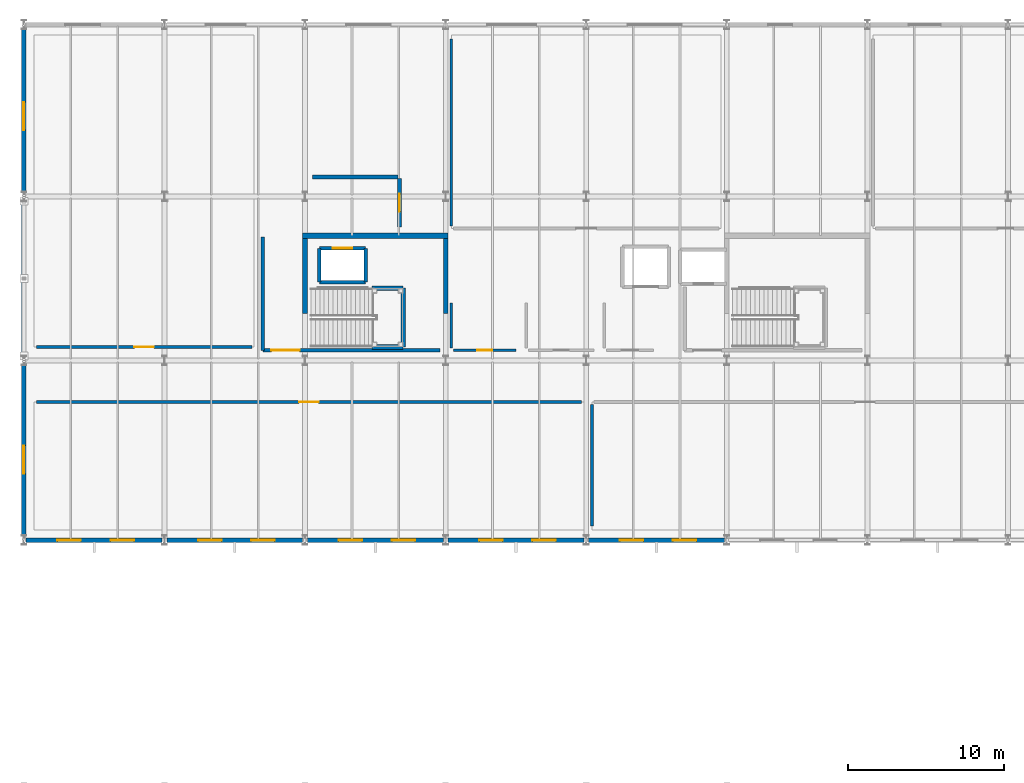
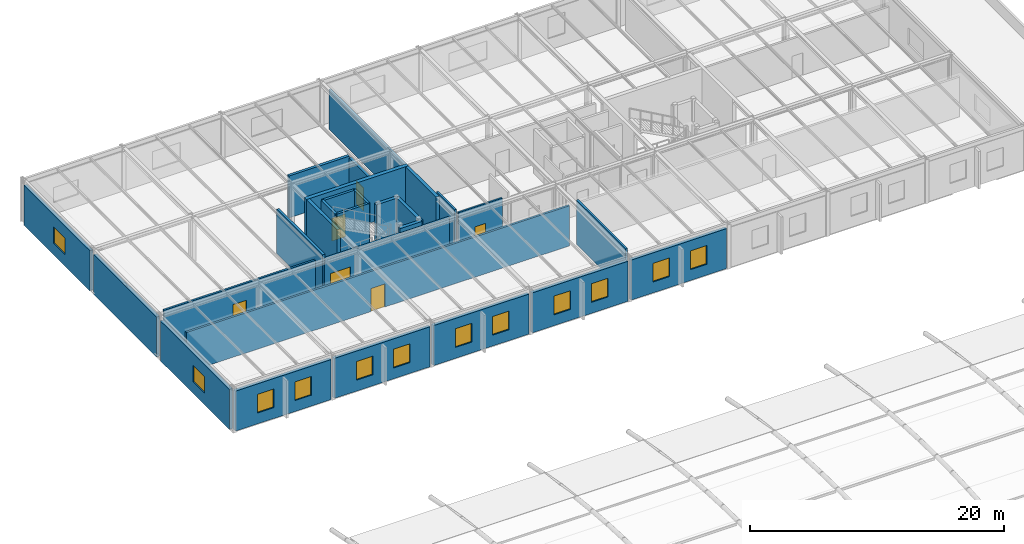
# One storey, part 59 of 105: 28 walls, 12 windows, 6 doors, 18 openings.
"""IFC4 building model written with IfcOpenShell, lengths in metres."""

import ifcopenshell
import ifcopenshell.guid

model = None  # the IFC model being written
_history = None  # IfcOwnerHistory: only IFC2X3 demands one
_inside = {}  # id of a spatial element -> (the spatial element, [elements in it])
_under = {}  # id of a project, library or spatial element -> (it, [spatial elements below it])
_declared = {}  # id of a project -> (the project, [libraries it declares])
_typed = {}  # id of a type object -> (the type object, [elements of that type])
_made_of = {}  # id of a material, layer set ... -> (it, [elements and type objects made of it])


def new_model(schema):
    """Start an empty IFC model of exactly this schema.

    Asked for "IFC4X3", IfcOpenShell would pick the latest addendum, in which some entities
    have other attributes; the version numbers below select the first issue.
    IFC2X3 requires an IfcOwnerHistory on every rooted entity: one is made here for all.
    """
    global model, _history
    if schema == "IFC4X3":
        model = ifcopenshell.file(schema_version=(4, 3, 0, 0))
    else:
        model = ifcopenshell.file(schema=schema)
    _inside.clear()
    _under.clear()
    _declared.clear()
    _typed.clear()
    _made_of.clear()
    _history = None
    if model.schema == "IFC2X3":
        org = make("IfcOrganization", Name="unknown")
        user = make(
            "IfcPersonAndOrganization",
            ThePerson=make("IfcPerson", FamilyName="unknown"),
            TheOrganization=org,
        )
        app = make(
            "IfcApplication",
            ApplicationDeveloper=org,
            Version="unknown",
            ApplicationFullName="unknown",
            ApplicationIdentifier="unknown",
        )
        _history = make(
            "IfcOwnerHistory",
            OwningUser=user,
            OwningApplication=app,
            ChangeAction="ADDED",
            CreationDate=0,
        )
    return model


def make(cls, **values):
    """One entity of the class cls with the attributes given. An attribute that is None is left unset."""
    return model.create_entity(
        cls, **{name: value for name, value in values.items() if value is not None}
    )


def rooted(cls, **values):
    """An entity with a GlobalId (a new one), such as an element, a storey or a relation."""
    return make(cls, GlobalId=ifcopenshell.guid.new(), OwnerHistory=_history, **values)


def si_unit(unit_type, name, prefix=None):
    """IfcSIUnit, for example si_unit("LENGTHUNIT", "METRE", prefix="MILLI")."""
    return make("IfcSIUnit", UnitType=unit_type, Prefix=prefix, Name=name)


def assignment(units):
    """IfcUnitAssignment: the units of a project."""
    return None if units is None else make("IfcUnitAssignment", Units=units)


def point(xyz):
    """IfcCartesianPoint."""
    return None if xyz is None else make("IfcCartesianPoint", Coordinates=xyz)


def direction(xyz):
    """IfcDirection."""
    return None if xyz is None else make("IfcDirection", DirectionRatios=xyz)


def frame(location, z_axis=None, x_axis=None):
    """IfcAxis2Placement3D, a coordinate frame: its origin and axes. An axis left out is left unset."""
    return make(
        "IfcAxis2Placement3D",
        Location=point(location),
        Axis=direction(z_axis),
        RefDirection=direction(x_axis),
    )


def frame_2d(location, x_axis=None):
    """IfcAxis2Placement2D, a coordinate frame in the plane: its origin and x axis."""
    return make(
        "IfcAxis2Placement2D", Location=point(location), RefDirection=direction(x_axis)
    )


def origin():
    """The frame at (0, 0, 0) with its axes left unset."""
    return frame((0.0, 0.0, 0.0))


def place(relative_to, where):
    """IfcLocalPlacement: puts the frame where relative to a parent placement (None: the world)."""
    return make(
        "IfcLocalPlacement", PlacementRelTo=relative_to, RelativePlacement=where
    )


def context(
    kind, dimensions, precision=None, world=None, true_north=None, identifier=None
):
    """IfcGeometricRepresentationContext, for example the 3D "Model" context."""
    return make(
        "IfcGeometricRepresentationContext",
        ContextIdentifier=identifier,
        ContextType=kind,
        CoordinateSpaceDimension=dimensions,
        Precision=precision,
        WorldCoordinateSystem=world,
        TrueNorth=true_north,
    )


def subcontext(parent, identifier, kind, view, scale=None):
    """IfcGeometricRepresentationSubContext, for example "Body" below "Model"."""
    return make(
        "IfcGeometricRepresentationSubContext",
        ContextIdentifier=identifier,
        ContextType=kind,
        ParentContext=parent,
        TargetScale=scale,
        TargetView=view,
    )


def project(units=None, contexts=None):
    """IfcProject with its units and contexts."""
    return rooted(
        "IfcProject",
        Name="project",
        RepresentationContexts=contexts,
        UnitsInContext=assignment(units),
    )


def spatial(cls, under=None, at=None, **own):
    """A site, building, storey or space (cls), placed at a placement, below another one or the project."""
    s = rooted(cls, ObjectPlacement=at, **own)
    if under is not None:
        _under.setdefault(under.id(), (under, []))[1].append(s)
    return s


def profile(cls, at=None, kind="AREA", **sizes):
    """A parametric profile (cls). Its sizes go by their IFC names, for example OverallWidth=200.0."""
    return make(cls, ProfileType=kind, Position=at, **sizes)


def rectangle(**sizes):
    """IfcRectangleProfileDef."""
    return profile("IfcRectangleProfileDef", **sizes)


def extrude(swept, where, along, depth):
    """IfcExtrudedAreaSolid: the profile swept, set in the frame where, extruded along a direction by depth."""
    return make(
        "IfcExtrudedAreaSolid",
        SweptArea=swept,
        Position=where,
        ExtrudedDirection=direction(along),
        Depth=depth,
    )


def shape(context_of_items, identifier, shape_type, items):
    """IfcShapeRepresentation: the items that make up one representation, for example the "Body"."""
    return make(
        "IfcShapeRepresentation",
        ContextOfItems=context_of_items,
        RepresentationIdentifier=identifier,
        RepresentationType=shape_type,
        Items=items,
    )


def material(Name=None, Category=None):
    """IfcMaterial."""
    return make("IfcMaterial", Name=Name, Category=Category)


def layer(
    of_material, thickness, ventilated=None, Name=None, Category=None, Priority=None
):
    """IfcMaterialLayer: one layer of a wall or slab, of a material (None: an air gap)."""
    return make(
        "IfcMaterialLayer",
        Material=of_material,
        LayerThickness=thickness,
        IsVentilated=ventilated,
        Name=Name,
        Category=Category,
        Priority=Priority,
    )


def layer_set(layers, Name=None):
    """IfcMaterialLayerSet."""
    return make("IfcMaterialLayerSet", MaterialLayers=layers, LayerSetName=Name)


def made_of(thing, what):
    """Note that an element or type object is made of a material, layer set ...; save() writes the relation."""
    if what is not None:
        _made_of.setdefault(what.id(), (what, []))[1].append(thing)
    return thing


def type_object(cls, material=None, **own):
    """A type object (cls), such as IfcWallType, which elements share."""
    return made_of(rooted(cls, **own), material)


def element(
    cls,
    number,
    at=None,
    inside=None,
    cuts=None,
    type_object=None,
    material=None,
    context=None,
    identifier="Body",
    shape_type=None,
    held_by="IfcProductDefinitionShape",
    body=None,
    shapes=None,
    **own,
):
    """One element of the class cls, such as IfcWall. Its Tag is "e" and its number.

    at: its placement. inside: the storey or other place that contains it. cuts: it is an
    opening in that element (IfcRelVoidsElement). A single representation is given by context,
    identifier, shape_type and body (its items); several are given by shapes. held_by: the class
    of the entity that holds the representations. save() writes the other relations.
    """
    e = rooted(cls, Tag="e%d" % number, ObjectPlacement=at, **own)
    if body is not None:
        shapes = [shape(context, identifier, shape_type, body)]
    if shapes is not None:
        e.Representation = make(held_by, Representations=shapes)
    if inside is not None:
        _inside.setdefault(inside.id(), (inside, []))[1].append(e)
    if cuts is not None:
        rooted(
            "IfcRelVoidsElement", RelatingBuildingElement=cuts, RelatedOpeningElement=e
        )
    if type_object is not None:
        _typed.setdefault(type_object.id(), (type_object, []))[1].append(e)
    return made_of(e, material)


def fill(opening, filler):
    """IfcRelFillsElement: the door or window that sits in an opening."""
    return rooted(
        "IfcRelFillsElement",
        RelatingOpeningElement=opening,
        RelatedBuildingElement=filler,
    )


def aggregate(whole, parts):
    """IfcRelAggregates: a whole, such as a stair, and the parts it consists of."""
    return rooted("IfcRelAggregates", RelatingObject=whole, RelatedObjects=parts)


def save(model, path):
    """Write the relations noted so far, then the file.

    IfcRelAggregates (storeys below a building ...), IfcRelContainedInSpatialStructure (elements
    in a storey), IfcRelDefinesByType, IfcRelAssociatesMaterial and IfcRelDeclares: one each for
    every whole, place, type object, material and project.
    """
    for whole, parts in _under.values():
        aggregate(whole, parts)
    for where, things in _inside.values():
        rooted(
            "IfcRelContainedInSpatialStructure",
            RelatedElements=things,
            RelatingStructure=where,
        )
    for kind, things in _typed.values():
        rooted("IfcRelDefinesByType", RelatedObjects=things, RelatingType=kind)
    for what, things in _made_of.values():
        rooted("IfcRelAssociatesMaterial", RelatedObjects=things, RelatingMaterial=what)
    for by, libraries in _declared.values():
        rooted("IfcRelDeclares", RelatingContext=by, RelatedDefinitions=libraries)
    model.write(path)


model = new_model("IFC4")

# Units and contexts
model_context = context("Model", 3, precision=1e-05, world=origin(), true_north=direction((0.0, 1.0)))
body_context = subcontext(model_context, "Body", "Model", "MODEL_VIEW")
ifc_project = project(units=[si_unit("LENGTHUNIT", "METRE"), si_unit("AREAUNIT", "SQUARE_METRE"), si_unit("VOLUMEUNIT", "CUBIC_METRE"), si_unit("PLANEANGLEUNIT", "RADIAN"), si_unit("MASSUNIT", "GRAM", prefix="KILO")], contexts=[model_context])

# Site, building, storey
site_placement = place(None, origin())
site = spatial("IfcSite", under=ifc_project, at=site_placement, CompositionType="ELEMENT")
building_placement = place(site_placement, origin())
building = spatial("IfcBuilding", under=site, at=building_placement, Name="Marlcrest Central Station", CompositionType="ELEMENT")
storey_placement = place(building_placement, frame((0.0, 0.0, 15.0)))
storey = spatial("IfcBuildingStorey", under=building, at=storey_placement, Name="L03", CompositionType="ELEMENT", Elevation=15.0)

# Wall, openings, windows
ifc_material_1 = material(Name="Concrete C40/50", Category="concrete")
ifc_layer_1 = layer(ifc_material_1, 0.2900390625, Name="EW-02")
ifc_layer_set_1 = layer_set([ifc_layer_1], Name="Concrete C40/50")
wall_type_1 = type_object("IfcWallType", Name="EW-02", PredefinedType="SOLIDWALL", material=ifc_layer_set_1)
wall_1_placement = place(storey_placement, frame((8.85009765625, 99.0, 0.0), z_axis=(0.0, 0.0, 1.0), x_axis=(-1.0, 0.0, 0.0)))
wall_1 = element("IfcWall", 1, at=wall_1_placement, inside=storey, type_object=wall_type_1, Name="ewall-L03-0148", PredefinedType="SOLIDWALL", context=body_context, shape_type="SweptSolid", body=[
    extrude(rectangle(XDim=8.7001953125, YDim=0.2900390625, at=frame_2d((4.35009765625, 0.0))), origin(), (0.0, 0.0, 1.0), 3.85009765625),
])
opening_1_placement = place(wall_1_placement, frame((1.800048828125, 0.0, 1.050048828125)))
opening_1 = element("IfcOpeningElement", 2, at=opening_1_placement, cuts=wall_1, Name="Opening WN-04", PredefinedType="OPENING", context=body_context, shape_type="SweptSolid", body=[
    extrude(rectangle(XDim=1.5, YDim=1.800048828125, at=frame_2d((0.75, 0.89990234375))), frame((0.0, 0.155029296875, 0.0), z_axis=(0.0, -1.0, 0.0), x_axis=(1.0, 0.0, 0.0)), (0.0, 0.0, 1.0), 0.31005859375),
])
opening_2_placement = place(wall_1_placement, frame((5.199951171875, 0.0, 1.050048828125)))
opening_2 = element("IfcOpeningElement", 3, at=opening_2_placement, cuts=wall_1, Name="Opening WN-04", PredefinedType="OPENING", context=body_context, shape_type="SweptSolid", body=[
    extrude(rectangle(XDim=1.5, YDim=1.800048828125, at=frame_2d((0.75, 0.89990234375))), frame((0.0, 0.155029296875, 0.0), z_axis=(0.0, -1.0, 0.0), x_axis=(1.0, 0.0, 0.0)), (0.0, 0.0, 1.0), 0.31005859375),
])
ifc_material_2 = material(Name="Thermally broken bronze-anodised aluminium and laminated low-E glass", Category="aluminium")
window_type_1 = type_object("IfcWindowType", Name="WN-04", PartitioningType="SINGLE_PANEL", PredefinedType="WINDOW", material=ifc_material_2)
window_1_placement = place(opening_1_placement, origin())
window_1 = element("IfcWindow", 4, at=window_1_placement, inside=storey, type_object=window_type_1, Name="ewin-L03-0104", OverallHeight=1.800048828125, OverallWidth=1.5, PartitioningType="SINGLE_PANEL", PredefinedType="WINDOW", context=body_context, shape_type="SweptSolid", body=[
    extrude(rectangle(XDim=1.5, YDim=1.800048828125, at=frame_2d((0.75, 0.89990234375))), frame((0.0, 0.030029296875, 0.0), z_axis=(0.0, -1.0, 0.0), x_axis=(1.0, 0.0, 0.0)), (0.0, 0.0, 1.0), 0.06005859375),
])
fill(opening_1, window_1)
window_2_placement = place(opening_2_placement, origin())
window_2 = element("IfcWindow", 5, at=window_2_placement, inside=storey, type_object=window_type_1, Name="ewin-L03-0105", OverallHeight=1.800048828125, OverallWidth=1.5, PartitioningType="SINGLE_PANEL", PredefinedType="WINDOW", context=body_context, shape_type="SweptSolid", body=[
    extrude(rectangle(XDim=1.5, YDim=1.800048828125, at=frame_2d((0.75, 0.89990234375))), frame((0.0, 0.030029296875, 0.0), z_axis=(0.0, -1.0, 0.0), x_axis=(1.0, 0.0, 0.0)), (0.0, 0.0, 1.0), 0.06005859375),
])
fill(opening_2, window_2)

wall_2_placement = place(storey_placement, frame((17.85009765625, 99.0, 0.0), z_axis=(0.0, 0.0, 1.0), x_axis=(-1.0, 0.0, 0.0)))
wall_2 = element("IfcWall", 6, at=wall_2_placement, inside=storey, type_object=wall_type_1, Name="ewall-L03-0150", PredefinedType="SOLIDWALL", context=body_context, shape_type="SweptSolid", body=[
    extrude(rectangle(XDim=8.7001953125, YDim=0.2900390625, at=frame_2d((4.35009765625, 0.0))), origin(), (0.0, 0.0, 1.0), 3.85009765625),
])
opening_3_placement = place(wall_2_placement, frame((1.800048828125, 0.0, 1.050048828125)))
opening_3 = element("IfcOpeningElement", 7, at=opening_3_placement, cuts=wall_2, Name="Opening WN-04", PredefinedType="OPENING", context=body_context, shape_type="SweptSolid", body=[
    extrude(rectangle(XDim=1.5, YDim=1.800048828125, at=frame_2d((0.75, 0.89990234375))), frame((0.0, 0.155029296875, 0.0), z_axis=(0.0, -1.0, 0.0), x_axis=(1.0, 0.0, 0.0)), (0.0, 0.0, 1.0), 0.31005859375),
])
opening_4_placement = place(wall_2_placement, frame((5.199951171875, 0.0, 1.050048828125)))
opening_4 = element("IfcOpeningElement", 8, at=opening_4_placement, cuts=wall_2, Name="Opening WN-04", PredefinedType="OPENING", context=body_context, shape_type="SweptSolid", body=[
    extrude(rectangle(XDim=1.5, YDim=1.800048828125, at=frame_2d((0.75, 0.89990234375))), frame((0.0, 0.155029296875, 0.0), z_axis=(0.0, -1.0, 0.0), x_axis=(1.0, 0.0, 0.0)), (0.0, 0.0, 1.0), 0.31005859375),
])
window_3_placement = place(opening_3_placement, origin())
window_3 = element("IfcWindow", 9, at=window_3_placement, inside=storey, type_object=window_type_1, Name="ewin-L03-0107", OverallHeight=1.800048828125, OverallWidth=1.5, PartitioningType="SINGLE_PANEL", PredefinedType="WINDOW", context=body_context, shape_type="SweptSolid", body=[
    extrude(rectangle(XDim=1.5, YDim=1.800048828125, at=frame_2d((0.75, 0.89990234375))), frame((0.0, 0.030029296875, 0.0), z_axis=(0.0, -1.0, 0.0), x_axis=(1.0, 0.0, 0.0)), (0.0, 0.0, 1.0), 0.06005859375),
])
fill(opening_3, window_3)
window_4_placement = place(opening_4_placement, origin())
window_4 = element("IfcWindow", 10, at=window_4_placement, inside=storey, type_object=window_type_1, Name="ewin-L03-0108", OverallHeight=1.800048828125, OverallWidth=1.5, PartitioningType="SINGLE_PANEL", PredefinedType="WINDOW", context=body_context, shape_type="SweptSolid", body=[
    extrude(rectangle(XDim=1.5, YDim=1.800048828125, at=frame_2d((0.75, 0.89990234375))), frame((0.0, 0.030029296875, 0.0), z_axis=(0.0, -1.0, 0.0), x_axis=(1.0, 0.0, 0.0)), (0.0, 0.0, 1.0), 0.06005859375),
])
fill(opening_4, window_4)

wall_3_placement = place(storey_placement, frame((26.85009765625, 99.0, 0.0), z_axis=(0.0, 0.0, 1.0), x_axis=(-1.0, 0.0, 0.0)))
wall_3 = element("IfcWall", 11, at=wall_3_placement, inside=storey, type_object=wall_type_1, Name="ewall-L03-0152", PredefinedType="SOLIDWALL", context=body_context, shape_type="SweptSolid", body=[
    extrude(rectangle(XDim=8.7001953125, YDim=0.2900390625, at=frame_2d((4.35009765625, 0.0))), origin(), (0.0, 0.0, 1.0), 3.85009765625),
])
opening_5_placement = place(wall_3_placement, frame((1.800048828125, 0.0, 1.050048828125)))
opening_5 = element("IfcOpeningElement", 12, at=opening_5_placement, cuts=wall_3, Name="Opening WN-04", PredefinedType="OPENING", context=body_context, shape_type="SweptSolid", body=[
    extrude(rectangle(XDim=1.5, YDim=1.800048828125, at=frame_2d((0.75, 0.89990234375))), frame((0.0, 0.155029296875, 0.0), z_axis=(0.0, -1.0, 0.0), x_axis=(1.0, 0.0, 0.0)), (0.0, 0.0, 1.0), 0.31005859375),
])
opening_6_placement = place(wall_3_placement, frame((5.199951171875, 0.0, 1.050048828125)))
opening_6 = element("IfcOpeningElement", 13, at=opening_6_placement, cuts=wall_3, Name="Opening WN-04", PredefinedType="OPENING", context=body_context, shape_type="SweptSolid", body=[
    extrude(rectangle(XDim=1.5, YDim=1.800048828125, at=frame_2d((0.75, 0.89990234375))), frame((0.0, 0.155029296875, 0.0), z_axis=(0.0, -1.0, 0.0), x_axis=(1.0, 0.0, 0.0)), (0.0, 0.0, 1.0), 0.31005859375),
])
window_5_placement = place(opening_5_placement, origin())
window_5 = element("IfcWindow", 14, at=window_5_placement, inside=storey, type_object=window_type_1, Name="ewin-L03-0110", OverallHeight=1.800048828125, OverallWidth=1.5, PartitioningType="SINGLE_PANEL", PredefinedType="WINDOW", context=body_context, shape_type="SweptSolid", body=[
    extrude(rectangle(XDim=1.5, YDim=1.800048828125, at=frame_2d((0.75, 0.89990234375))), frame((0.0, 0.030029296875, 0.0), z_axis=(0.0, -1.0, 0.0), x_axis=(1.0, 0.0, 0.0)), (0.0, 0.0, 1.0), 0.06005859375),
])
fill(opening_5, window_5)
window_6_placement = place(opening_6_placement, origin())
window_6 = element("IfcWindow", 15, at=window_6_placement, inside=storey, type_object=window_type_1, Name="ewin-L03-0111", OverallHeight=1.800048828125, OverallWidth=1.5, PartitioningType="SINGLE_PANEL", PredefinedType="WINDOW", context=body_context, shape_type="SweptSolid", body=[
    extrude(rectangle(XDim=1.5, YDim=1.800048828125, at=frame_2d((0.75, 0.89990234375))), frame((0.0, 0.030029296875, 0.0), z_axis=(0.0, -1.0, 0.0), x_axis=(1.0, 0.0, 0.0)), (0.0, 0.0, 1.0), 0.06005859375),
])
fill(opening_6, window_6)

wall_4_placement = place(storey_placement, frame((35.85009765625, 99.0, 0.0), z_axis=(0.0, 0.0, 1.0), x_axis=(-1.0, 0.0, 0.0)))
wall_4 = element("IfcWall", 16, at=wall_4_placement, inside=storey, type_object=wall_type_1, Name="ewall-L03-0154", PredefinedType="SOLIDWALL", context=body_context, shape_type="SweptSolid", body=[
    extrude(rectangle(XDim=8.7001953125, YDim=0.2900390625, at=frame_2d((4.35009765625, 0.0))), origin(), (0.0, 0.0, 1.0), 3.85009765625),
])
opening_7_placement = place(wall_4_placement, frame((1.800048828125, 0.0, 1.050048828125)))
opening_7 = element("IfcOpeningElement", 17, at=opening_7_placement, cuts=wall_4, Name="Opening WN-04", PredefinedType="OPENING", context=body_context, shape_type="SweptSolid", body=[
    extrude(rectangle(XDim=1.5, YDim=1.800048828125, at=frame_2d((0.75, 0.89990234375))), frame((0.0, 0.155029296875, 0.0), z_axis=(0.0, -1.0, 0.0), x_axis=(1.0, 0.0, 0.0)), (0.0, 0.0, 1.0), 0.31005859375),
])
opening_8_placement = place(wall_4_placement, frame((5.199951171875, 0.0, 1.050048828125)))
opening_8 = element("IfcOpeningElement", 18, at=opening_8_placement, cuts=wall_4, Name="Opening WN-04", PredefinedType="OPENING", context=body_context, shape_type="SweptSolid", body=[
    extrude(rectangle(XDim=1.5, YDim=1.800048828125, at=frame_2d((0.75, 0.89990234375))), frame((0.0, 0.155029296875, 0.0), z_axis=(0.0, -1.0, 0.0), x_axis=(1.0, 0.0, 0.0)), (0.0, 0.0, 1.0), 0.31005859375),
])
window_7_placement = place(opening_7_placement, origin())
window_7 = element("IfcWindow", 19, at=window_7_placement, inside=storey, type_object=window_type_1, Name="ewin-L03-0113", OverallHeight=1.800048828125, OverallWidth=1.5, PartitioningType="SINGLE_PANEL", PredefinedType="WINDOW", context=body_context, shape_type="SweptSolid", body=[
    extrude(rectangle(XDim=1.5, YDim=1.800048828125, at=frame_2d((0.75, 0.89990234375))), frame((0.0, 0.030029296875, 0.0), z_axis=(0.0, -1.0, 0.0), x_axis=(1.0, 0.0, 0.0)), (0.0, 0.0, 1.0), 0.06005859375),
])
fill(opening_7, window_7)
window_8_placement = place(opening_8_placement, origin())
window_8 = element("IfcWindow", 20, at=window_8_placement, inside=storey, type_object=window_type_1, Name="ewin-L03-0114", OverallHeight=1.800048828125, OverallWidth=1.5, PartitioningType="SINGLE_PANEL", PredefinedType="WINDOW", context=body_context, shape_type="SweptSolid", body=[
    extrude(rectangle(XDim=1.5, YDim=1.800048828125, at=frame_2d((0.75, 0.89990234375))), frame((0.0, 0.030029296875, 0.0), z_axis=(0.0, -1.0, 0.0), x_axis=(1.0, 0.0, 0.0)), (0.0, 0.0, 1.0), 0.06005859375),
])
fill(opening_8, window_8)

wall_5_placement = place(storey_placement, frame((44.85009765625, 99.0, 0.0), z_axis=(0.0, 0.0, 1.0), x_axis=(-1.0, 0.0, 0.0)))
wall_5 = element("IfcWall", 21, at=wall_5_placement, inside=storey, type_object=wall_type_1, Name="ewall-L03-0156", PredefinedType="SOLIDWALL", context=body_context, shape_type="SweptSolid", body=[
    extrude(rectangle(XDim=8.7001953125, YDim=0.2900390625, at=frame_2d((4.35009765625, 0.0))), origin(), (0.0, 0.0, 1.0), 3.85009765625),
])
opening_9_placement = place(wall_5_placement, frame((1.800048828125, 0.0, 1.050048828125)))
opening_9 = element("IfcOpeningElement", 22, at=opening_9_placement, cuts=wall_5, Name="Opening WN-04", PredefinedType="OPENING", context=body_context, shape_type="SweptSolid", body=[
    extrude(rectangle(XDim=1.5, YDim=1.800048828125, at=frame_2d((0.75, 0.89990234375))), frame((0.0, 0.155029296875, 0.0), z_axis=(0.0, -1.0, 0.0), x_axis=(1.0, 0.0, 0.0)), (0.0, 0.0, 1.0), 0.31005859375),
])
opening_10_placement = place(wall_5_placement, frame((5.199951171875, 0.0, 1.050048828125)))
opening_10 = element("IfcOpeningElement", 23, at=opening_10_placement, cuts=wall_5, Name="Opening WN-04", PredefinedType="OPENING", context=body_context, shape_type="SweptSolid", body=[
    extrude(rectangle(XDim=1.5, YDim=1.800048828125, at=frame_2d((0.75, 0.89990234375))), frame((0.0, 0.155029296875, 0.0), z_axis=(0.0, -1.0, 0.0), x_axis=(1.0, 0.0, 0.0)), (0.0, 0.0, 1.0), 0.31005859375),
])
window_9_placement = place(opening_9_placement, origin())
window_9 = element("IfcWindow", 24, at=window_9_placement, inside=storey, type_object=window_type_1, Name="ewin-L03-0116", OverallHeight=1.800048828125, OverallWidth=1.5, PartitioningType="SINGLE_PANEL", PredefinedType="WINDOW", context=body_context, shape_type="SweptSolid", body=[
    extrude(rectangle(XDim=1.5, YDim=1.800048828125, at=frame_2d((0.75, 0.89990234375))), frame((0.0, 0.030029296875, 0.0), z_axis=(0.0, -1.0, 0.0), x_axis=(1.0, 0.0, 0.0)), (0.0, 0.0, 1.0), 0.06005859375),
])
fill(opening_9, window_9)
window_10_placement = place(opening_10_placement, origin())
window_10 = element("IfcWindow", 25, at=window_10_placement, inside=storey, type_object=window_type_1, Name="ewin-L03-0117", OverallHeight=1.800048828125, OverallWidth=1.5, PartitioningType="SINGLE_PANEL", PredefinedType="WINDOW", context=body_context, shape_type="SweptSolid", body=[
    extrude(rectangle(XDim=1.5, YDim=1.800048828125, at=frame_2d((0.75, 0.89990234375))), frame((0.0, 0.030029296875, 0.0), z_axis=(0.0, -1.0, 0.0), x_axis=(1.0, 0.0, 0.0)), (0.0, 0.0, 1.0), 0.06005859375),
])
fill(opening_10, window_10)

# Wall, opening, window
wall_6_placement = place(storey_placement, frame((0.0, 99.300048828125, 0.0), z_axis=(0.0, 0.0, 1.0), x_axis=(0.0, 1.0, 0.0)))
wall_6 = element("IfcWall", 26, at=wall_6_placement, inside=storey, type_object=wall_type_1, Name="ewall-L03-0164", PredefinedType="SOLIDWALL", context=body_context, shape_type="SweptSolid", body=[
    extrude(rectangle(XDim=10.89990234375, YDim=0.2900390625, at=frame_2d((5.449951171875, 0.0))), origin(), (0.0, 0.0, 1.0), 3.85009765625),
])
opening_11_placement = place(wall_6_placement, frame((3.949951171875, 0.0, 1.10009765625)))
opening_11 = element("IfcOpeningElement", 27, at=opening_11_placement, cuts=wall_6, Name="Opening WN-01", PredefinedType="OPENING", context=body_context, shape_type="SweptSolid", body=[
    extrude(rectangle(XDim=1.800048828125, YDim=1.60009765625, at=frame_2d((0.89990234375, 0.800048828125))), frame((0.0, 0.155029296875, 0.0), z_axis=(0.0, -1.0, 0.0), x_axis=(1.0, 0.0, 0.0)), (0.0, 0.0, 1.0), 0.31005859375),
])
window_type_2 = type_object("IfcWindowType", Name="WN-01", PartitioningType="SINGLE_PANEL", PredefinedType="WINDOW", material=ifc_material_2)
window_11_placement = place(opening_11_placement, origin())
window_11 = element("IfcWindow", 28, at=window_11_placement, inside=storey, type_object=window_type_2, Name="ewin-L03-0128", OverallHeight=1.60009765625, OverallWidth=1.800048828125, PartitioningType="SINGLE_PANEL", PredefinedType="WINDOW", context=body_context, shape_type="SweptSolid", body=[
    extrude(rectangle(XDim=1.800048828125, YDim=1.60009765625, at=frame_2d((0.89990234375, 0.800048828125))), frame((0.0, 0.030029296875, 0.0), z_axis=(0.0, -1.0, 0.0), x_axis=(1.0, 0.0, 0.0)), (0.0, 0.0, 1.0), 0.06005859375),
])
fill(opening_11, window_11)

# Wall
wall_7_placement = place(storey_placement, frame((0.0, 110.800048828125, 0.0), z_axis=(0.0, 0.0, 1.0), x_axis=(0.0, 1.0, 0.0)))
element("IfcWall", 29, at=wall_7_placement, inside=storey, type_object=wall_type_1, Name="ewall-L03-0165", PredefinedType="SOLIDWALL", context=body_context, shape_type="SweptSolid", body=[
    extrude(rectangle(XDim=9.89990234375, YDim=0.2900390625, at=frame_2d((4.949951171875, 0.0))), origin(), (0.0, 0.0, 1.0), 3.85009765625),
])

# Wall, opening, window
wall_8_placement = place(storey_placement, frame((0.0, 121.300048828125, 0.0), z_axis=(0.0, 0.0, 1.0), x_axis=(0.0, 1.0, 0.0)))
wall_8 = element("IfcWall", 30, at=wall_8_placement, inside=storey, type_object=wall_type_1, Name="ewall-L03-0166", PredefinedType="SOLIDWALL", context=body_context, shape_type="SweptSolid", body=[
    extrude(rectangle(XDim=10.39990234375, YDim=0.2900390625, at=frame_2d((5.199951171875, 0.0))), origin(), (0.0, 0.0, 1.0), 3.85009765625),
])
opening_12_placement = place(wall_8_placement, frame((3.949951171875, 0.0, 1.10009765625)))
opening_12 = element("IfcOpeningElement", 31, at=opening_12_placement, cuts=wall_8, Name="Opening WN-01", PredefinedType="OPENING", context=body_context, shape_type="SweptSolid", body=[
    extrude(rectangle(XDim=1.800048828125, YDim=1.60009765625, at=frame_2d((0.89990234375, 0.800048828125))), frame((0.0, 0.155029296875, 0.0), z_axis=(0.0, -1.0, 0.0), x_axis=(1.0, 0.0, 0.0)), (0.0, 0.0, 1.0), 0.31005859375),
])
window_12_placement = place(opening_12_placement, origin())
window_12 = element("IfcWindow", 32, at=window_12_placement, inside=storey, type_object=window_type_2, Name="ewin-L03-0129", OverallHeight=1.60009765625, OverallWidth=1.800048828125, PartitioningType="SINGLE_PANEL", PredefinedType="WINDOW", context=body_context, shape_type="SweptSolid", body=[
    extrude(rectangle(XDim=1.800048828125, YDim=1.60009765625, at=frame_2d((0.89990234375, 0.800048828125))), frame((0.0, 0.030029296875, 0.0), z_axis=(0.0, -1.0, 0.0), x_axis=(1.0, 0.0, 0.0)), (0.0, 0.0, 1.0), 0.06005859375),
])
fill(opening_12, window_12)

# Wall, opening, door
ifc_material_3 = material(Name="Moisture-resistant tiled sanitary partition")
ifc_layer_2 = layer(ifc_material_3, 0.159912109375, Name="PT-03")
ifc_layer_set_2 = layer_set([ifc_layer_2], Name="Moisture-resistant tiled sanitary partition")
wall_type_2 = type_object("IfcWallType", Name="PT-03", PredefinedType="PARTITIONING", material=ifc_layer_set_2)
wall_9_placement = place(storey_placement, frame((31.489990234375, 111.159912109375, 0.0), z_axis=(0.0, 0.0, 1.0), x_axis=(-1.0, 0.0, 0.0)))
wall_9 = element("IfcWall", 33, at=wall_9_placement, inside=storey, type_object=wall_type_2, Name="iwall-L03-00186", PredefinedType="PARTITIONING", context=body_context, shape_type="SweptSolid", body=[
    extrude(rectangle(XDim=3.97998046875, YDim=0.159912109375, at=frame_2d((1.989990234375, 0.0))), origin(), (0.0, 0.0, 1.0), 4.034912109375),
])
opening_13_placement = place(wall_9_placement, frame((1.514892578125, 0.0, 0.0)))
opening_13 = element("IfcOpeningElement", 34, at=opening_13_placement, cuts=wall_9, Name="Opening ID-01", PredefinedType="OPENING", context=body_context, shape_type="SweptSolid", body=[
    extrude(rectangle(XDim=0.949951171875, YDim=2.14990234375, at=frame_2d((0.47509765625, 1.074951171875))), frame((0.0, 0.08984375, 0.0), z_axis=(0.0, -1.0, 0.0), x_axis=(1.0, 0.0, 0.0)), (0.0, 0.0, 1.0), 0.179931640625),
])
ifc_material_4 = material(Name="Solid-core hardwood acoustic door", Category="wood")
door_type_1 = type_object("IfcDoorType", Name="ID-01", OperationType="NOTDEFINED", PredefinedType="DOOR", material=ifc_material_4)
door_1_placement = place(opening_13_placement, origin())
door_1 = element("IfcDoor", 35, at=door_1_placement, inside=storey, type_object=door_type_1, Name="L03-WC-W1 0105", OperationType="SINGLE_SWING_RIGHT", OverallHeight=2.14990234375, OverallWidth=0.949951171875, PredefinedType="DOOR", context=body_context, shape_type="SweptSolid", body=[
    extrude(rectangle(XDim=0.949951171875, YDim=2.14990234375, at=frame_2d((0.47509765625, 1.074951171875))), frame((0.0, 0.02490234375, 0.0), z_axis=(0.0, -1.0, 0.0), x_axis=(1.0, 0.0, 0.0)), (0.0, 0.0, 1.0), 0.050048828125),
])
fill(opening_13, door_1)

# Wall
wall_10_placement = place(storey_placement, frame((27.360107421875, 111.31005859375, 0.0), z_axis=(0.0, 0.0, 1.0), x_axis=(0.0, 1.0, 0.0)))
element("IfcWall", 36, at=wall_10_placement, inside=storey, type_object=wall_type_2, Name="iwall-L03-00187", PredefinedType="PARTITIONING", context=body_context, shape_type="SweptSolid", body=[
    extrude(rectangle(XDim=2.8798828125, YDim=0.159912109375, at=frame_2d((1.43994140625, 0.0))), origin(), (0.0, 0.0, 1.0), 4.25),
])

# Wall, opening, door
ifc_material_5 = material(Name="Fire-rated corridor blockwork partition", Category="masonry")
ifc_layer_3 = layer(ifc_material_5, 0.179931640625, Name="PT-04")
ifc_layer_set_3 = layer_set([ifc_layer_3], Name="Fire-rated corridor blockwork partition")
wall_type_3 = type_object("IfcWallType", Name="PT-04", PredefinedType="PARTITIONING", material=ifc_layer_set_3)
wall_11_placement = place(storey_placement, frame((0.81005859375, 107.840087890625, 0.0), z_axis=(0.0, 0.0, 1.0), x_axis=(1.0, 0.0, 0.0)))
wall_11 = element("IfcWall", 37, at=wall_11_placement, inside=storey, type_object=wall_type_3, Name="iwall-L03-00176", PredefinedType="PARTITIONING", context=body_context, shape_type="SweptSolid", body=[
    extrude(rectangle(XDim=34.8798828125, YDim=0.179931640625, at=frame_2d((17.43994140625, 0.0))), origin(), (0.0, 0.0, 1.0), 3.864990234375),
])
opening_14_placement = place(wall_11_placement, frame((16.81494140625, 0.0, 0.0)))
opening_14 = element("IfcOpeningElement", 38, at=opening_14_placement, cuts=wall_11, Name="Opening ID-09", PredefinedType="OPENING", context=body_context, shape_type="SweptSolid", body=[
    extrude(rectangle(XDim=1.25, YDim=2.219970703125, at=frame_2d((0.625, 1.10986328125))), frame((0.0, 0.099853515625, 0.0), z_axis=(0.0, -1.0, 0.0), x_axis=(1.0, 0.0, 0.0)), (0.0, 0.0, 1.0), 0.199951171875),
])
ifc_material_6 = material(Name="Equipment room wide leaf door")
door_type_2 = type_object("IfcDoorType", Name="ID-09", OperationType="NOTDEFINED", PredefinedType="DOOR", material=ifc_material_6)
door_2_placement = place(opening_14_placement, origin())
door_2 = element("IfcDoor", 39, at=door_2_placement, inside=storey, type_object=door_type_2, Name="L03-V5A 0099", OperationType="SINGLE_SWING_RIGHT", OverallHeight=2.219970703125, OverallWidth=1.25, PredefinedType="DOOR", context=body_context, shape_type="SweptSolid", body=[
    extrude(rectangle(XDim=1.25, YDim=2.219970703125, at=frame_2d((0.625, 1.10986328125))), frame((0.0, 0.02490234375, 0.0), z_axis=(0.0, -1.0, 0.0), x_axis=(1.0, 0.0, 0.0)), (0.0, 0.0, 1.0), 0.050048828125),
])
fill(opening_14, door_2)

# Wall
wall_12_placement = place(storey_placement, frame((36.360107421875, 99.909912109375, 0.0), z_axis=(0.0, 0.0, 1.0), x_axis=(0.0, 1.0, 0.0)))
element("IfcWall", 40, at=wall_12_placement, inside=storey, type_object=wall_type_3, Name="iwall-L03-00178", PredefinedType="PARTITIONING", context=body_context, shape_type="SweptSolid", body=[
    extrude(rectangle(XDim=7.780029296875, YDim=0.179931640625, at=frame_2d((3.89013671875, 0.0))), origin(), (0.0, 0.0, 1.0), 4.25),
])

# Wall, opening, door
wall_13_placement = place(storey_placement, frame((14.590087890625, 111.360107421875, 0.0), z_axis=(0.0, 0.0, 1.0), x_axis=(-1.0, 0.0, 0.0)))
wall_13 = element("IfcWall", 41, at=wall_13_placement, inside=storey, type_object=wall_type_3, Name="iwall-L03-00179", PredefinedType="PARTITIONING", context=body_context, shape_type="SweptSolid", body=[
    extrude(rectangle(XDim=13.780029296875, YDim=0.179931640625, at=frame_2d((6.89013671875, 0.0))), origin(), (0.0, 0.0, 1.0), 3.864990234375),
])
opening_15_placement = place(wall_13_placement, frame((6.264892578125, 0.0, 0.0)))
opening_15 = element("IfcOpeningElement", 42, at=opening_15_placement, cuts=wall_13, Name="Opening ID-09", PredefinedType="OPENING", context=body_context, shape_type="SweptSolid", body=[
    extrude(rectangle(XDim=1.25, YDim=2.219970703125, at=frame_2d((0.625, 1.10986328125))), frame((0.0, 0.099853515625, 0.0), z_axis=(0.0, -1.0, 0.0), x_axis=(1.0, 0.0, 0.0)), (0.0, 0.0, 1.0), 0.199951171875),
])
door_3_placement = place(opening_15_placement, origin())
door_3 = element("IfcDoor", 43, at=door_3_placement, inside=storey, type_object=door_type_2, Name="L03-V5D 0101", OperationType="SINGLE_SWING_RIGHT", OverallHeight=2.219970703125, OverallWidth=1.25, PredefinedType="DOOR", context=body_context, shape_type="SweptSolid", body=[
    extrude(rectangle(XDim=1.25, YDim=2.219970703125, at=frame_2d((0.625, 1.10986328125))), frame((0.0, 0.02490234375, 0.0), z_axis=(0.0, -1.0, 0.0), x_axis=(1.0, 0.0, 0.0)), (0.0, 0.0, 1.0), 0.050048828125),
])
fill(opening_15, door_3)

# Wall
wall_14_placement = place(storey_placement, frame((27.360107421875, 119.110107421875, 0.0), z_axis=(0.0, 0.0, 1.0), x_axis=(0.0, 1.0, 0.0)))
element("IfcWall", 44, at=wall_14_placement, inside=storey, type_object=wall_type_3, Name="iwall-L03-00181", PredefinedType="PARTITIONING", context=body_context, shape_type="SweptSolid", body=[
    extrude(rectangle(XDim=11.97998046875, YDim=0.179931640625, at=frame_2d((5.989990234375, 0.0))), origin(), (0.0, 0.0, 1.0), 3.864990234375),
])

# Wall, opening, door
ifc_layer_4 = layer(ifc_material_1, 0.22998046875, Name="SHW-01")
ifc_layer_set_4 = layer_set([ifc_layer_4], Name="Concrete C40/50")
wall_type_4 = type_object("IfcWallType", Name="SHW-01", PredefinedType="SOLIDWALL", material=ifc_layer_set_4)
wall_15_placement = place(storey_placement, frame((18.919921875, 117.679931640625, 0.0), z_axis=(0.0, 0.0, 1.0), x_axis=(1.0, 0.0, 0.0)))
wall_15 = element("IfcWall", 45, at=wall_15_placement, inside=storey, type_object=wall_type_4, Name="iwall-L03-00359", PredefinedType="SOLIDWALL", context=body_context, shape_type="SweptSolid", body=[
    extrude(rectangle(XDim=2.9599609375, YDim=0.22998046875, at=frame_2d((1.47998046875, 0.0))), origin(), (0.0, 0.0, 1.0), 4.260009765625),
])
opening_16_placement = place(wall_15_placement, frame((0.85498046875, 0.0, 0.0)))
opening_16 = element("IfcOpeningElement", 46, at=opening_16_placement, cuts=wall_15, Name="Opening LD-02", PredefinedType="OPENING", context=body_context, shape_type="SweptSolid", body=[
    extrude(rectangle(XDim=1.25, YDim=2.199951171875, at=frame_2d((0.625, 1.10009765625))), frame((0.0, 0.125, 0.0), z_axis=(0.0, -1.0, 0.0), x_axis=(1.0, 0.0, 0.0)), (0.0, 0.0, 1.0), 0.25),
])
ifc_material_7 = material(Name="Stainless steel stretcher/firefighting lift landing door", Category="steel")
door_type_3 = type_object("IfcDoorType", Name="LD-02", OperationType="DOUBLE_DOOR_SLIDING", PredefinedType="DOOR", material=ifc_material_7)
door_4_placement = place(opening_16_placement, origin())
door_4 = element("IfcDoor", 47, at=door_4_placement, inside=storey, type_object=door_type_3, Name="LF-FF1 Lift Landing Door 0160", OperationType="DOUBLE_DOOR_SLIDING", OverallHeight=2.199951171875, OverallWidth=1.25, PredefinedType="DOOR", context=body_context, shape_type="SweptSolid", body=[
    extrude(rectangle(XDim=1.25, YDim=2.199951171875, at=frame_2d((0.625, 1.10009765625))), frame((0.0, 0.02490234375, 0.0), z_axis=(0.0, -1.0, 0.0), x_axis=(1.0, 0.0, 0.0)), (0.0, 0.0, 1.0), 0.050048828125),
])
fill(opening_16, door_4)

# Walls
wall_16_placement = place(storey_placement, frame((21.8798828125, 115.52001953125, 0.0), z_axis=(0.0, 0.0, 1.0), x_axis=(-1.0, 0.0, 0.0)))
element("IfcWall", 48, at=wall_16_placement, inside=storey, type_object=wall_type_4, Name="iwall-L03-00360", PredefinedType="SOLIDWALL", context=body_context, shape_type="SweptSolid", body=[
    extrude(rectangle(XDim=2.9599609375, YDim=0.22998046875, at=frame_2d((1.47998046875, 0.0))), origin(), (0.0, 0.0, 1.0), 4.260009765625),
])
for number, where, z_axis, x_axis, name in (
    (49, (18.919921875, 115.52001953125, 0.0), (0.0, 0.0, 1.0), (0.0, 1.0, 0.0), "iwall-L03-00361"),
    (50, (21.8798828125, 117.679931640625, 0.0), (0.0, 0.0, 1.0), (0.0, -1.0, 0.0), "iwall-L03-00362"),
):
    element("IfcWall", number, at=place(storey_placement, frame(where, z_axis=z_axis, x_axis=x_axis)), inside=storey, type_object=wall_type_4, Name=name, PredefinedType="SOLIDWALL", context=body_context, shape_type="SweptSolid", body=[
        extrude(rectangle(XDim=2.159912109375, YDim=0.22998046875, at=frame_2d((1.080078125, 0.0))), origin(), (0.0, 0.0, 1.0), 4.260009765625),
    ])

# Wall, opening, door
wall_17_placement = place(storey_placement, frame((15.300048828125, 111.14990234375, 0.0), z_axis=(0.0, 0.0, 1.0), x_axis=(1.0, 0.0, 0.0)))
wall_17 = element("IfcWall", 51, at=wall_17_placement, inside=storey, type_object=wall_type_4, Name="iwall-L03-00441", PredefinedType="SOLIDWALL", context=body_context, shape_type="SweptSolid", body=[
    extrude(rectangle(XDim=11.349853515625, YDim=0.22998046875, at=frame_2d((5.6748046875, 0.0))), origin(), (0.0, 0.0, 1.0), 3.864990234375),
])
opening_17_placement = place(wall_17_placement, frame((0.550048828125, 0.0, 0.0)))
opening_17 = element("IfcOpeningElement", 52, at=opening_17_placement, cuts=wall_17, Name="Opening FD-90D", PredefinedType="OPENING", context=body_context, shape_type="SweptSolid", body=[
    extrude(rectangle(XDim=1.800048828125, YDim=2.300048828125, at=frame_2d((0.89990234375, 1.14990234375))), frame((0.0, 0.125, 0.0), z_axis=(0.0, -1.0, 0.0), x_axis=(1.0, 0.0, 0.0)), (0.0, 0.0, 1.0), 0.25),
])
ifc_material_8 = material(Name="90-minute double exit-stair fire door")
door_type_4 = type_object("IfcDoorType", Name="FD-90D", OperationType="DOUBLE_DOOR_SINGLE_SWING", PredefinedType="DOOR", material=ifc_material_8)
door_5_placement = place(opening_17_placement, origin())
door_5 = element("IfcDoor", 53, at=door_5_placement, inside=storey, type_object=door_type_4, Name="ST-W13 Stair Door 0190", OperationType="DOUBLE_DOOR_SINGLE_SWING", OverallHeight=2.300048828125, OverallWidth=1.800048828125, PredefinedType="DOOR", context=body_context, shape_type="SweptSolid", body=[
    extrude(rectangle(XDim=1.800048828125, YDim=2.300048828125, at=frame_2d((0.89990234375, 1.14990234375))), frame((0.0, 0.02490234375, 0.0), z_axis=(0.0, -1.0, 0.0), x_axis=(1.0, 0.0, 0.0)), (0.0, 0.0, 1.0), 0.050048828125),
])
fill(opening_17, door_5)

# Wall
wall_18_placement = place(storey_placement, frame((15.300048828125, 111.14990234375, 0.0), z_axis=(0.0, 0.0, 1.0), x_axis=(0.0, 1.0, 0.0)))
element("IfcWall", 54, at=wall_18_placement, inside=storey, type_object=wall_type_4, Name="iwall-L03-00442", PredefinedType="SOLIDWALL", context=body_context, shape_type="SweptSolid", body=[
    extrude(rectangle(XDim=7.25, YDim=0.22998046875, at=frame_2d((3.625, 0.0))), origin(), (0.0, 0.0, 1.0), 4.25),
])

# Wall, opening, door
ifc_layer_5 = layer(ifc_material_1, 0.25, Name="SHW-02")
ifc_layer_set_5 = layer_set([ifc_layer_5], Name="Concrete C40/50")
wall_type_5 = type_object("IfcWallType", Name="SHW-02", PredefinedType="SOLIDWALL", material=ifc_layer_set_5)
wall_19_placement = place(storey_placement, frame((24.0400390625, 119.06005859375, 0.0), z_axis=(0.0, 0.0, 1.0), x_axis=(0.0, 1.0, 0.0)))
wall_19 = element("IfcWall", 55, at=wall_19_placement, inside=storey, type_object=wall_type_5, Name="iwall-L03-00184", PredefinedType="SOLIDWALL", context=body_context, shape_type="SweptSolid", body=[
    extrude(rectangle(XDim=3.079833984375, YDim=0.25, at=frame_2d((1.5400390625, 0.0))), origin(), (0.0, 0.0, 1.0), 3.864990234375),
])
opening_18_placement = place(wall_19_placement, frame((0.965087890625, 0.0, 0.0)))
opening_18 = element("IfcOpeningElement", 56, at=opening_18_placement, cuts=wall_19, Name="Opening FD-90", PredefinedType="OPENING", context=body_context, shape_type="SweptSolid", body=[
    extrude(rectangle(XDim=1.14990234375, YDim=2.199951171875, at=frame_2d((0.574951171875, 1.10009765625))), frame((0.0, 0.135009765625, 0.0), z_axis=(0.0, -1.0, 0.0), x_axis=(1.0, 0.0, 0.0)), (0.0, 0.0, 1.0), 0.27001953125),
])
ifc_material_9 = material(Name="90-minute stair and firefighting-lobby fire door")
door_type_5 = type_object("IfcDoorType", Name="FD-90", OperationType="NOTDEFINED", PredefinedType="DOOR", material=ifc_material_9)
door_6_placement = place(opening_18_placement, origin())
door_6 = element("IfcDoor", 57, at=door_6_placement, inside=storey, type_object=door_type_5, Name="L03-FFL 0104", OperationType="SINGLE_SWING_LEFT", OverallHeight=2.199951171875, OverallWidth=1.14990234375, PredefinedType="DOOR", context=body_context, shape_type="SweptSolid", body=[
    extrude(rectangle(XDim=1.14990234375, YDim=2.199951171875, at=frame_2d((0.574951171875, 1.10009765625))), frame((0.0, 0.02490234375, 0.0), z_axis=(0.0, -1.0, 0.0), x_axis=(1.0, 0.0, 0.0)), (0.0, 0.0, 1.0), 0.050048828125),
])
fill(opening_18, door_6)

# Walls
wall_20_placement = place(storey_placement, frame((18.4599609375, 122.239990234375, 0.0), z_axis=(0.0, 0.0, 1.0), x_axis=(1.0, 0.0, 0.0)))
element("IfcWall", 58, at=wall_20_placement, inside=storey, type_object=wall_type_5, Name="iwall-L03-00185", PredefinedType="SOLIDWALL", context=body_context, shape_type="SweptSolid", body=[
    extrude(rectangle(XDim=5.47998046875, YDim=0.25, at=frame_2d((2.739990234375, 0.0))), origin(), (0.0, 0.0, 1.0), 4.034912109375),
])
ifc_material_10 = material(Name="Concrete C50/60", Category="concrete")
ifc_layer_6 = layer(ifc_material_10, 0.35009765625, Name="SW-01")
ifc_layer_set_6 = layer_set([ifc_layer_6], Name="Concrete C50/60")
wall_type_6 = type_object("IfcWallType", Name="SW-01", PredefinedType="SHEAR", material=ifc_layer_set_6)
wall_21_placement = place(storey_placement, frame((17.85009765625, 118.5, 0.0), z_axis=(0.0, 0.0, 1.0), x_axis=(1.0, 0.0, 0.0)))
element("IfcWall", 59, at=wall_21_placement, inside=storey, type_object=wall_type_6, Name="swall-L03-0029", PredefinedType="SHEAR", context=body_context, shape_type="SweptSolid", body=[
    extrude(rectangle(XDim=9.2998046875, YDim=0.35009765625, at=frame_2d((4.64990234375, 0.0))), origin(), (0.0, 0.0, 1.0), 4.284912109375),
])
ifc_layer_7 = layer(ifc_material_10, 0.300048828125, Name="SW-02")
ifc_layer_set_7 = layer_set([ifc_layer_7], Name="Concrete C50/60")
wall_type_7 = type_object("IfcWallType", Name="SW-02", PredefinedType="SHEAR", material=ifc_layer_set_7)
for number, where, z_axis, x_axis, name in (
    (60, (18.0, 113.5, 0.0), (0.0, 0.0, 1.0), (0.0, 1.0, 0.0), "swall-L03-0030"),
    (61, (27.0, 113.5, 0.0), (0.0, 0.0, 1.0), (0.0, 1.0, 0.0), "swall-L03-0031"),
):
    element("IfcWall", number, at=place(storey_placement, frame(where, z_axis=z_axis, x_axis=x_axis)), inside=storey, type_object=wall_type_7, Name=name, PredefinedType="SHEAR", context=body_context, shape_type="SweptSolid", body=[
        extrude(rectangle(XDim=4.824951171875, YDim=0.300048828125, at=frame_2d((2.41259765625, 0.0))), origin(), (0.0, 0.0, 1.0), 4.284912109375),
    ])
wall_22_placement = place(storey_placement, frame((22.280029296875, 111.3701171875, 0.0), z_axis=(0.0, 0.0, 1.0), x_axis=(1.0, 0.0, 0.0)))
element("IfcWall", 62, at=wall_22_placement, inside=storey, type_object=wall_type_7, Name="htsw-0050-S", PredefinedType="SHEAR", context=body_context, shape_type="SweptSolid", body=[
    extrude(rectangle(XDim=2.0, YDim=0.300048828125, at=frame_2d((1.0, 0.0))), origin(), (0.0, 0.0, 1.0), 4.25),
])
wall_23_placement = place(storey_placement, frame((24.280029296875, 111.3701171875, 0.0), z_axis=(0.0, 0.0, 1.0), x_axis=(0.0, 1.0, 0.0)))
element("IfcWall", 63, at=wall_23_placement, inside=storey, type_object=wall_type_7, Name="htsw-0050-E", PredefinedType="SHEAR", context=body_context, shape_type="SweptSolid", body=[
    extrude(rectangle(XDim=3.759765625, YDim=0.300048828125, at=frame_2d((1.8798828125, 0.0))), origin(), (0.0, 0.0, 1.0), 4.25),
])
wall_24_placement = place(storey_placement, frame((24.280029296875, 115.1298828125, 0.0), z_axis=(0.0, 0.0, 1.0), x_axis=(-1.0, 0.0, 0.0)))
element("IfcWall", 64, at=wall_24_placement, inside=storey, type_object=wall_type_7, Name="htsw-0050-N", PredefinedType="SHEAR", context=body_context, shape_type="SweptSolid", body=[
    extrude(rectangle(XDim=2.0, YDim=0.300048828125, at=frame_2d((1.0, 0.0))), origin(), (0.0, 0.0, 1.0), 4.25),
])

save(model, "model.ifc")
